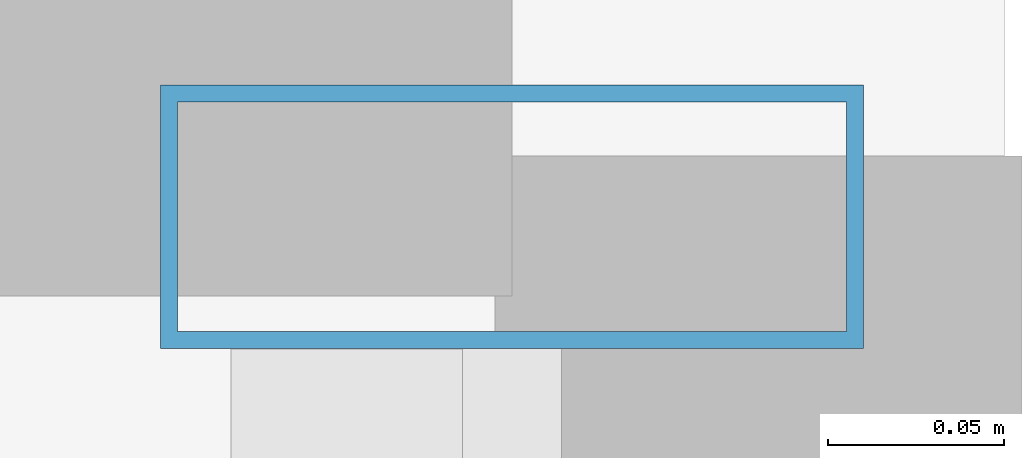
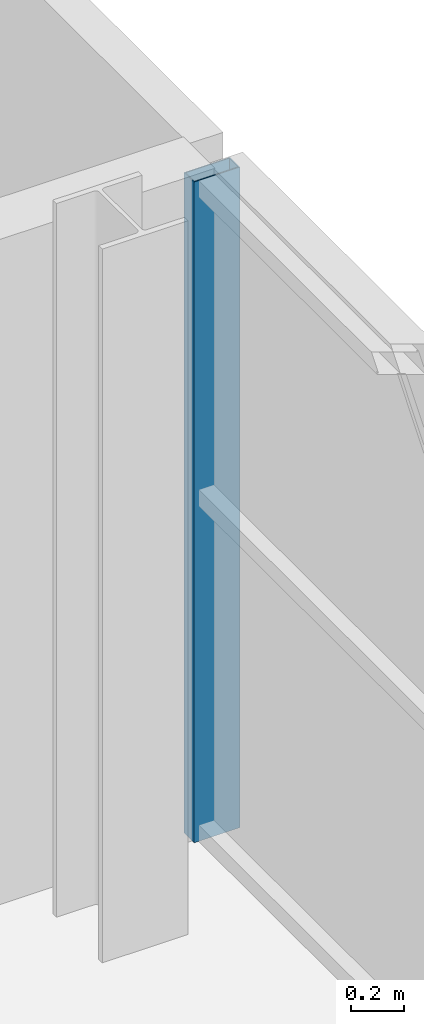
# One storey, part 13 of 22: 1 member, 1 element without a shape of its own.
"""IFC4 building model written with IfcOpenShell, lengths in metres."""

from ifc_helpers import new_model, si_unit, direction, frame, origin, origin_2d, place, context, subcontext, project, spatial, hollow_rectangle, extrude, source, transform, mapped, material, layer, layer_set, material_profile, profile_set, type_object, element, aggregate, save


model = new_model("IFC4")

# Units and contexts
model_context = context("Model", 3, precision=1e-05, world=origin(), true_north=direction((0.0, 1.0)))
body_context = subcontext(model_context, "Body", "Model", "MODEL_VIEW")
ifc_project = project(units=[si_unit("LENGTHUNIT", "METRE"), si_unit("AREAUNIT", "SQUARE_METRE"), si_unit("VOLUMEUNIT", "CUBIC_METRE"), si_unit("PLANEANGLEUNIT", "RADIAN"), si_unit("MASSUNIT", "GRAM", prefix="KILO")], contexts=[model_context])

# Site, building, storey
site_placement = place(None, origin())
site = spatial("IfcSite", under=ifc_project, at=site_placement, CompositionType="ELEMENT")
building_placement = place(site_placement, origin())
building = spatial("IfcBuilding", under=site, at=building_placement, Name="Zarnakvel Exchange Tower", CompositionType="ELEMENT")
storey_placement = place(building_placement, frame((0.0, 0.0, 238.60009765625)))
storey = spatial("IfcBuildingStorey", under=building, at=storey_placement, Name="L67", CompositionType="ELEMENT", Elevation=238.60009765625)

# Curtain wall, member
ifc_material = material(Name="Architectural Bronze Anodised Aluminium", Category="aluminium")
ifc_layer = layer(ifc_material, 0.199951171875)
ifc_layer_set = layer_set([ifc_layer], Name="Architectural Bronze Anodised Aluminium")
curtain_wall_type = type_object("IfcCurtainWallType", Name="CW-04", PredefinedType="NOTDEFINED", material=ifc_layer_set)
curtain_wall_placement = place(storey_placement, origin())
curtain_wall = element("IfcCurtainWall", 1, at=curtain_wall_placement, inside=storey, type_object=curtain_wall_type, Name="L67 Curtain Wall CW-L67-EN (CW-04)", PredefinedType="NOTDEFINED")
ifc_material_profile = material_profile(ifc_material, hollow_rectangle(XDim=0.199951171875, YDim=0.074951171875, WallThickness=0.0048828125, at=origin_2d()))
ifc_profile_set = profile_set([ifc_material_profile], Name="Architectural Bronze Anodised Aluminium")
member_type = type_object("IfcMemberType", Name="CWM-04", PredefinedType="MULLION", material=ifc_profile_set)
shared_shape = source(origin(), body_context, "Body", "SweptSolid", [
    extrude(hollow_rectangle(XDim=0.199951171875, YDim=0.074951171875, WallThickness=0.0048828125, at=origin_2d()), origin(), (0.0, 0.0, 1.0), 3.054931640625),
])
member_placement = place(storey_placement, frame((23.4599609375, 13.862548828125, 0.0), z_axis=(0.0, 0.0, 1.0), x_axis=(-1.0, 0.0, 0.0)))
member = element("IfcMember", 2, at=member_placement, type_object=member_type, Name="CW-04 mullion 3", PredefinedType="MULLION", context=body_context, shape_type="MappedRepresentation", body=[
    mapped(shared_shape, transform((0.0, 0.0, 0.0), x_axis=(1.0, 0.0, 0.0), y_axis=(0.0, 1.0, 0.0), z_axis=(0.0, 0.0, 1.0), scale=1.0)),
])
aggregate(curtain_wall, [member])

save(model, "model.ifc")
